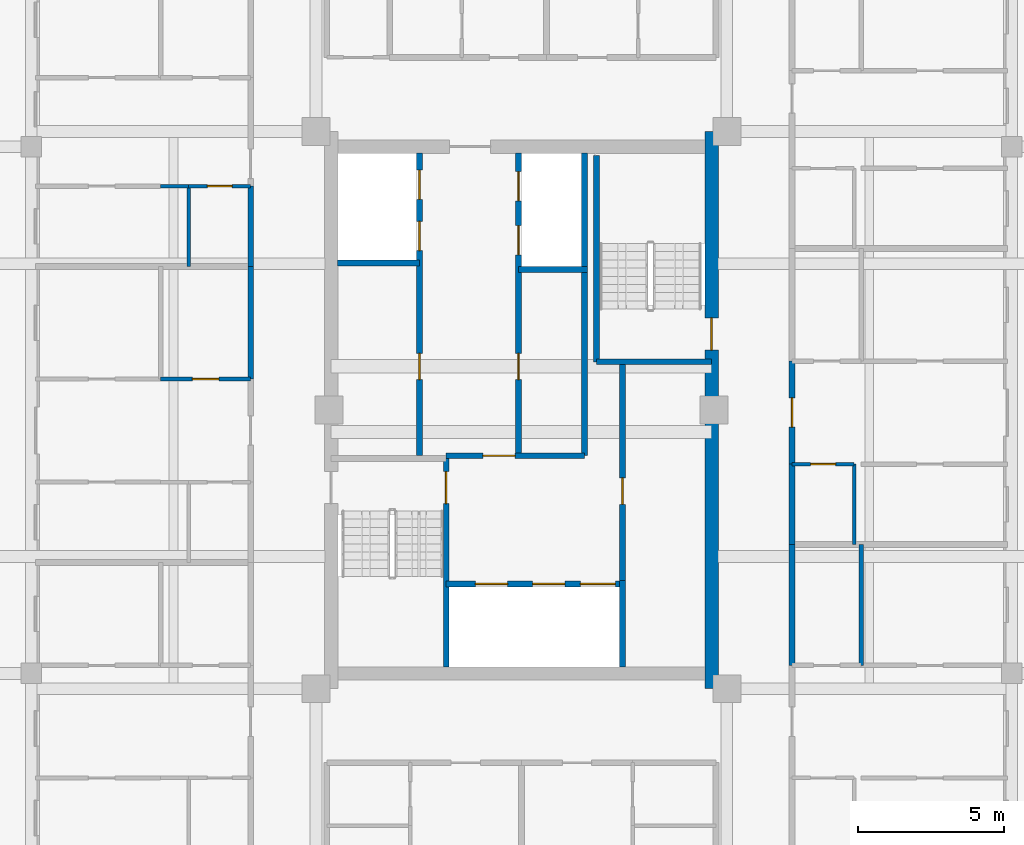
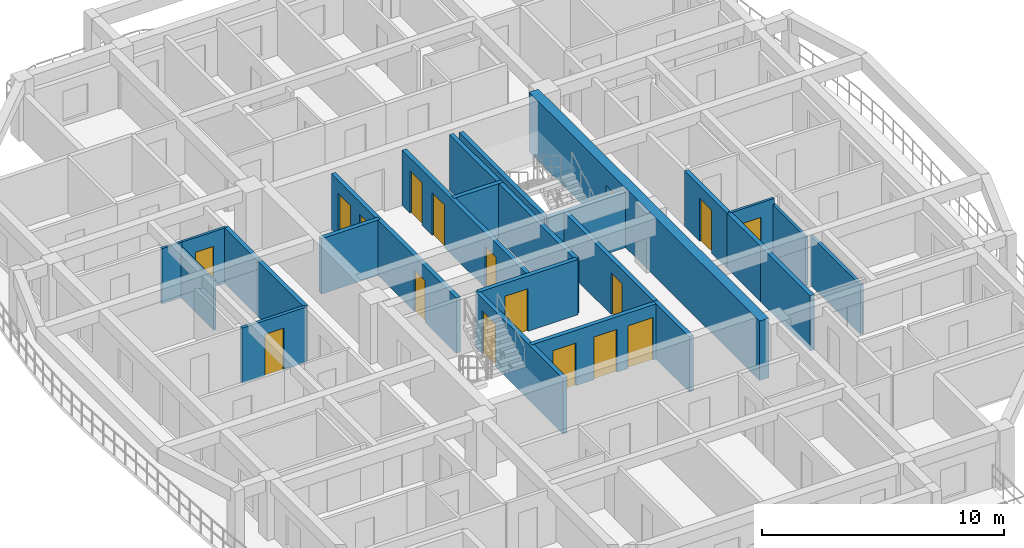
# One storey, part 4 of 13: 26 walls, 17 doors, 17 openings.
"""IFC4 building model written with IfcOpenShell, lengths in metres."""

from ifc_helpers import new_model, si_unit, direction, frame, frame_2d, origin, place, context, subcontext, project, spatial, rectangle, extrude, source, transform, mapped, material, layer, layer_set, type_object, element, fill, save


model = new_model("IFC4")

# Units and contexts
model_context = context("Model", 3, precision=1e-05, world=origin(), true_north=direction((0.0, 1.0)))
body_context = subcontext(model_context, "Body", "Model", "MODEL_VIEW")
ifc_project = project(units=[si_unit("LENGTHUNIT", "METRE"), si_unit("AREAUNIT", "SQUARE_METRE"), si_unit("VOLUMEUNIT", "CUBIC_METRE"), si_unit("PLANEANGLEUNIT", "RADIAN"), si_unit("MASSUNIT", "GRAM", prefix="KILO")], contexts=[model_context])

# Site, building, storey
site_placement = place(None, origin())
site = spatial("IfcSite", under=ifc_project, at=site_placement, CompositionType="ELEMENT")
building_placement = place(site_placement, origin())
building = spatial("IfcBuilding", under=site, at=building_placement, Name="Saelheon Loggia Tower", CompositionType="ELEMENT")
storey_placement = place(building_placement, frame((0.0, 0.0, 220.199951171875)))
storey = spatial("IfcBuildingStorey", under=building, at=storey_placement, Name="L68", CompositionType="ELEMENT", Elevation=220.199951171875)

# Wall, opening, door
ifc_material_1 = material(Name="Concrete C45/55", Category="concrete")
ifc_layer_1 = layer(ifc_material_1, 0.449951171875)
ifc_layer_set_1 = layer_set([ifc_layer_1], Name="Concrete C45/55")
wall_type_1 = type_object("IfcWallType", Name="Wall_CoreShear_450", PredefinedType="SHEAR", material=ifc_layer_set_1)
wall_1_placement = place(storey_placement, frame((44.5, 17.47998046875, 0.0), z_axis=(0.0, 0.0, 1.0), x_axis=(0.0, 1.0, 0.0)))
wall_1 = element("IfcWall", 1, at=wall_1_placement, inside=storey, type_object=wall_type_1, Name="L68 Core Shear Wall East", PredefinedType="SHEAR", context=body_context, shape_type="SweptSolid", body=[
    extrude(rectangle(XDim=19.0400390625, YDim=0.449951171875, at=frame_2d((9.52001953125, 0.0))), origin(), (0.0, 0.0, 1.0), 3.0),
])
opening_1_placement = place(wall_1_placement, frame((12.670166015625, 0.0, 0.0), z_axis=(0.0, 0.0, 1.0), x_axis=(-1.0, 0.0, 0.0)))
opening_1 = element("IfcOpeningElement", 2, at=opening_1_placement, cuts=wall_1, Name="Opening D-FD2", PredefinedType="OPENING", context=body_context, shape_type="SweptSolid", body=[
    extrude(rectangle(XDim=1.10009765625, YDim=2.14990234375, at=frame_2d((0.550048828125, 1.074951171875))), frame((0.0, 0.237060546875, 0.0), z_axis=(0.0, -1.0, 0.0), x_axis=(1.0, 0.0, 0.0)), (0.0, 0.0, 1.0), 0.473876953125),
])
ifc_material_2 = material(Name="Galvanised Steel Fire Door", Category="steel")
door_type_1 = type_object("IfcDoorType", Name="Door_Fire_FD60_1100", OperationType="NOTDEFINED", PredefinedType="DOOR", material=ifc_material_2)
shared_shape_1 = source(origin(), body_context, "Body", "SweptSolid", [
    extrude(rectangle(XDim=1.10009765625, YDim=2.14990234375, at=frame_2d((0.550048828125, 1.074951171875))), frame((0.0, 0.02490234375, 0.0), z_axis=(0.0, -1.0, 0.0), x_axis=(1.0, 0.0, 0.0)), (0.0, 0.0, 1.0), 0.050048828125),
])
door_1_placement = place(opening_1_placement, origin())
door_1 = element("IfcDoor", 3, at=door_1_placement, inside=storey, type_object=door_type_1, Name="L68 Stair ST2 Corridor Door", OperationType="SINGLE_SWING_RIGHT", OverallHeight=2.14990234375, OverallWidth=1.10009765625, PredefinedType="DOOR", context=body_context, shape_type="MappedRepresentation", body=[
    mapped(shared_shape_1, transform((0.0, 0.0, 0.0), scale=1.0)),
])
fill(opening_1, door_1)

ifc_material_3 = material(Name="Lightweight Autoclaved Aerated Concrete Block and Acoustic Gypsum", Category="concrete")
ifc_layer_2 = layer(ifc_material_3, 0.14990234375)
ifc_layer_set_2 = layer_set([ifc_layer_2], Name="Lightweight Autoclaved Aerated Concrete Block and Acoustic Gypsum")
wall_type_2 = type_object("IfcWallType", Name="Wall_Part_150", PredefinedType="PARTITIONING", material=ifc_layer_set_2)
wall_2_placement = place(storey_placement, frame((28.75, 28.06005859375, 0.0), z_axis=(0.0, 0.0, 1.0), x_axis=(-1.0, 0.0, 0.0)))
wall_2 = element("IfcWall", 4, at=wall_2_placement, inside=storey, type_object=wall_type_2, Name="L68 W Partition U22", PredefinedType="PARTITIONING", context=body_context, shape_type="SweptSolid", body=[
    extrude(rectangle(XDim=3.080078125, YDim=0.14990234375, at=frame_2d((1.5400390625, 0.0))), origin(), (0.0, 0.0, 1.0), 2.7900390625),
])
opening_2_placement = place(wall_2_placement, frame((1.090087890625, 0.0, 0.0)))
opening_2 = element("IfcOpeningElement", 5, at=opening_2_placement, cuts=wall_2, Name="Opening D-IN2", PredefinedType="OPENING", context=body_context, shape_type="SweptSolid", body=[
    extrude(rectangle(XDim=0.89990234375, YDim=2.10009765625, at=frame_2d((0.449951171875, 1.050048828125))), frame((0.0, 0.0869140625, 0.0), z_axis=(0.0, -1.0, 0.0), x_axis=(1.0, 0.0, 0.0)), (0.0, 0.0, 1.0), 0.173828125),
])
ifc_material_4 = material(Name="Engineered Oak Flush Door", Category="timber")
door_type_2 = type_object("IfcDoorType", Name="Door_Int_900", OperationType="NOTDEFINED", PredefinedType="DOOR", material=ifc_material_4)
shared_shape_2 = source(origin(), body_context, "Body", "SweptSolid", [
    extrude(rectangle(XDim=0.89990234375, YDim=2.10009765625, at=frame_2d((0.449951171875, 1.050048828125))), frame((0.0, 0.02490234375, 0.0), z_axis=(0.0, -1.0, 0.0), x_axis=(1.0, 0.0, 0.0)), (0.0, 0.0, 1.0), 0.050048828125),
])
door_2_placement = place(opening_2_placement, origin())
door_2 = element("IfcDoor", 6, at=door_2_placement, inside=storey, type_object=door_type_2, Name="Unit U06 Home Office Door", OperationType="SINGLE_SWING_LEFT", OverallHeight=2.10009765625, OverallWidth=0.89990234375, PredefinedType="DOOR", context=body_context, shape_type="MappedRepresentation", body=[
    mapped(shared_shape_2, transform((0.0, 0.0, 0.0), scale=1.0)),
])
fill(opening_2, door_2)

# Walls
wall_3_placement = place(storey_placement, frame((49.610107421875, 18.280029296875, 0.0), z_axis=(0.0, 0.0, 1.0), x_axis=(0.0, 1.0, 0.0)))
element("IfcWall", 7, at=wall_3_placement, inside=storey, type_object=wall_type_2, Name="L68 E Partition V07", PredefinedType="PARTITIONING", context=body_context, shape_type="SweptSolid", body=[
    extrude(rectangle(XDim=4.1240234375, YDim=0.14990234375, at=frame_2d((2.06201171875, 0.0))), origin(), (0.0, 0.0, 1.0), 2.489990234375),
])
ifc_material_5 = material(Name="Double Acoustic Stud and Fireboard Partition", Category="gypsum")
ifc_layer_3 = layer(ifc_material_5, 0.199951171875)
ifc_layer_set_3 = layer_set([ifc_layer_3], Name="Double Acoustic Stud and Fireboard Partition")
wall_type_3 = type_object("IfcWallType", Name="Wall_Party_200", PredefinedType="PARTITIONING", material=ifc_layer_set_3)
wall_4_placement = place(storey_placement, frame((28.75, 28.06005859375, 0.0), z_axis=(0.0, 0.0, 1.0), x_axis=(0.0, 1.0, 0.0)))
element("IfcWall", 8, at=wall_4_placement, inside=storey, type_object=wall_type_3, Name="L68 W Partition V16", PredefinedType="PARTITIONING", context=body_context, shape_type="SweptSolid", body=[
    extrude(rectangle(XDim=3.84228515625, YDim=0.199951171875, at=frame_2d((1.921142578125, 0.0))), origin(), (0.0, 0.0, 1.0), 2.7900390625),
])
wall_5_placement = place(storey_placement, frame((28.75, 31.90234375, 0.0), z_axis=(0.0, 0.0, 1.0), x_axis=(0.0, 1.0, 0.0)))
element("IfcWall", 9, at=wall_5_placement, inside=storey, type_object=wall_type_3, Name="L68 W Partition V25", PredefinedType="PARTITIONING", context=body_context, shape_type="SweptSolid", body=[
    extrude(rectangle(XDim=2.75, YDim=0.199951171875, at=frame_2d((1.375, 0.0))), origin(), (0.0, 0.0, 1.0), 2.7900390625),
])
wall_6_placement = place(storey_placement, frame((47.25, 18.280029296875, 0.0), z_axis=(0.0, 0.0, 1.0), x_axis=(0.0, 1.0, 0.0)))
element("IfcWall", 10, at=wall_6_placement, inside=storey, type_object=wall_type_3, Name="L68 E Partition V05", PredefinedType="PARTITIONING", context=body_context, shape_type="SweptSolid", body=[
    extrude(rectangle(XDim=4.1240234375, YDim=0.199951171875, at=frame_2d((2.06201171875, 0.0))), origin(), (0.0, 0.0, 1.0), 2.7900390625),
])
wall_7_placement = place(storey_placement, frame((47.25, 22.404052734375, 0.0), z_axis=(0.0, 0.0, 1.0), x_axis=(0.0, 1.0, 0.0)))
element("IfcWall", 11, at=wall_7_placement, inside=storey, type_object=wall_type_3, Name="L68 E Partition V13", PredefinedType="PARTITIONING", context=body_context, shape_type="SweptSolid", body=[
    extrude(rectangle(XDim=2.75, YDim=0.199951171875, at=frame_2d((1.375, 0.0))), origin(), (0.0, 0.0, 1.0), 2.7900390625),
])

# Wall, opening, door
wall_8_placement = place(storey_placement, frame((47.25, 25.154052734375, 0.0), z_axis=(0.0, 0.0, 1.0), x_axis=(0.0, 1.0, 0.0)))
wall_8 = element("IfcWall", 12, at=wall_8_placement, inside=storey, type_object=wall_type_3, Name="L68 E Partition V14", PredefinedType="PARTITIONING", context=body_context, shape_type="SweptSolid", body=[
    extrude(rectangle(XDim=3.518798828125, YDim=0.199951171875, at=frame_2d((1.75927734375, 0.0))), origin(), (0.0, 0.0, 1.0), 2.7900390625),
])
opening_3_placement = place(wall_8_placement, frame((1.259521484375, 0.0, 0.0)))
opening_3 = element("IfcOpeningElement", 13, at=opening_3_placement, cuts=wall_8, Name="Opening D-FD1", PredefinedType="OPENING", context=body_context, shape_type="SweptSolid", body=[
    extrude(rectangle(XDim=1.0, YDim=2.14990234375, at=frame_2d((0.5, 1.074951171875))), frame((0.0, 0.112060546875, 0.0), z_axis=(0.0, -1.0, 0.0), x_axis=(1.0, 0.0, 0.0)), (0.0, 0.0, 1.0), 0.223876953125),
])
ifc_material_6 = material(Name="Fire-Rated Engineered Timber Entrance Door", Category="wood")
door_type_3 = type_object("IfcDoorType", Name="Door_Flat_FD30S", OperationType="NOTDEFINED", PredefinedType="DOOR", material=ifc_material_6)
shared_shape_3 = source(origin(), body_context, "Body", "SweptSolid", [
    extrude(rectangle(XDim=1.0, YDim=2.14990234375, at=frame_2d((0.5, 1.074951171875))), frame((0.0, 0.02490234375, 0.0), z_axis=(0.0, -1.0, 0.0), x_axis=(1.0, 0.0, 0.0)), (0.0, 0.0, 1.0), 0.050048828125),
])
door_3_placement = place(opening_3_placement, origin())
door_3 = element("IfcDoor", 14, at=door_3_placement, inside=storey, type_object=door_type_3, Name="Unit U09 Entrance Door", OperationType="SINGLE_SWING_LEFT", OverallHeight=2.14990234375, OverallWidth=1.0, PredefinedType="DOOR", context=body_context, shape_type="MappedRepresentation", body=[
    mapped(shared_shape_3, transform((0.0, 0.0, 0.0), scale=1.0)),
])
fill(opening_3, door_3)

# Wall
ifc_material_7 = material(Name="Concrete C40/50", Category="concrete")
ifc_layer_4 = layer(ifc_material_7, 0.199951171875)
ifc_layer_set_4 = layer_set([ifc_layer_4], Name="Concrete C40/50")
wall_type_4 = type_object("IfcWallType", Name="Wall_Shaft_200", PredefinedType="PARTITIONING", material=ifc_layer_set_4)
wall_9_placement = place(storey_placement, frame((41.449951171875, 18.219970703125, 0.0), z_axis=(0.0, 0.0, 1.0), x_axis=(0.0, 1.0, 0.0)))
element("IfcWall", 15, at=wall_9_placement, inside=storey, type_object=wall_type_4, Name="CW-INT-L68-BOH-W0", PredefinedType="PARTITIONING", context=body_context, shape_type="SweptSolid", body=[
    extrude(rectangle(XDim=2.9599609375, YDim=0.199951171875, at=frame_2d((1.47998046875, 0.0))), origin(), (0.0, 0.0, 1.0), 2.7900390625),
])

# Wall, opening, door
wall_10_placement = place(storey_placement, frame((41.449951171875, 21.179931640625, 0.0), z_axis=(0.0, 0.0, 1.0), x_axis=(0.0, 1.0, 0.0)))
wall_10 = element("IfcWall", 16, at=wall_10_placement, inside=storey, type_object=wall_type_4, Name="CW-INT-L68-BOH-W1", PredefinedType="PARTITIONING", context=body_context, shape_type="SweptSolid", body=[
    extrude(rectangle(XDim=7.420166015625, YDim=0.199951171875, at=frame_2d((3.7099609375, 0.0))), origin(), (0.0, 0.0, 1.0), 2.7900390625),
])
opening_4_placement = place(wall_10_placement, frame((2.60009765625, 0.0, 0.0)))
opening_4 = element("IfcOpeningElement", 17, at=opening_4_placement, cuts=wall_10, Name="Opening D-RS1", PredefinedType="OPENING", context=body_context, shape_type="SweptSolid", body=[
    extrude(rectangle(XDim=0.89990234375, YDim=2.10009765625, at=frame_2d((0.449951171875, 1.050048828125))), frame((0.0, 0.112060546875, 0.0), z_axis=(0.0, -1.0, 0.0), x_axis=(1.0, 0.0, 0.0)), (0.0, 0.0, 1.0), 0.223876953125),
])
ifc_material_8 = material(Name="Galvanised Steel Riser Access Door", Category="steel")
door_type_4 = type_object("IfcDoorType", Name="Door_Riser_FD60", OperationType="NOTDEFINED", PredefinedType="DOOR", material=ifc_material_8)
door_4_placement = place(opening_4_placement, origin())
door_4 = element("IfcDoor", 18, at=door_4_placement, inside=storey, type_object=door_type_4, Name="L68 Core Service Store Door", OperationType="SINGLE_SWING_LEFT", OverallHeight=2.10009765625, OverallWidth=0.89990234375, PredefinedType="DOOR", context=body_context, shape_type="MappedRepresentation", body=[
    mapped(shared_shape_2, transform((0.0, 0.0, 0.0), scale=1.0)),
])
fill(opening_4, door_4)

# Walls
wall_11_placement = place(storey_placement, frame((40.14990234375, 25.43994140625, 0.0), z_axis=(0.0, 0.0, 1.0), x_axis=(0.0, 1.0, 0.0)))
element("IfcWall", 19, at=wall_11_placement, inside=storey, type_object=wall_type_4, Name="L68 Core Service Passage West Wall", PredefinedType="PARTITIONING", context=body_context, shape_type="SweptSolid", body=[
    extrude(rectangle(XDim=6.360107421875, YDim=0.199951171875, at=frame_2d((3.18017578125, 0.0))), origin(), (0.0, 0.0, 1.0), 2.7900390625),
])
wall_12_placement = place(storey_placement, frame((40.14990234375, 31.800048828125, 0.0), z_axis=(0.0, 0.0, 1.0), x_axis=(0.0, 1.0, 0.0)))
element("IfcWall", 20, at=wall_12_placement, inside=storey, type_object=wall_type_4, Name="L68 East High-Rise Hoistway East Wall", PredefinedType="PARTITIONING", context=body_context, shape_type="SweptSolid", body=[
    extrude(rectangle(XDim=3.97998046875, YDim=0.199951171875, at=frame_2d((1.989990234375, 0.0))), origin(), (0.0, 0.0, 1.0), 2.7900390625),
])

# Wall, openings, doors
wall_13_placement = place(storey_placement, frame((35.429931640625, 21.06005859375, 0.0), z_axis=(0.0, 0.0, 1.0), x_axis=(1.0, 0.0, 0.0)))
wall_13 = element("IfcWall", 21, at=wall_13_placement, inside=storey, type_object=wall_type_4, Name="L68 Firefighting Lift Shaft Front Wall", PredefinedType="PARTITIONING", context=body_context, shape_type="SweptSolid", body=[
    extrude(rectangle(XDim=6.02001953125, YDim=0.199951171875, at=frame_2d((3.010009765625, 0.0))), origin(), (0.0, 0.0, 1.0), 2.7900390625),
])
opening_5_placement = place(wall_13_placement, frame((1.0, 0.0, 0.0)))
opening_5 = element("IfcOpeningElement", 22, at=opening_5_placement, cuts=wall_13, Name="Opening LD2", PredefinedType="OPENING", context=body_context, shape_type="SweptSolid", body=[
    extrude(rectangle(XDim=1.10009765625, YDim=2.14990234375, at=frame_2d((0.550048828125, 1.074951171875))), frame((0.0, 0.112060546875, 0.0), z_axis=(0.0, -1.0, 0.0), x_axis=(1.0, 0.0, 0.0)), (0.0, 0.0, 1.0), 0.223876953125),
])
opening_6_placement = place(wall_13_placement, frame((2.949951171875, 0.0, 0.0)))
opening_6 = element("IfcOpeningElement", 23, at=opening_6_placement, cuts=wall_13, Name="Opening LD2", PredefinedType="OPENING", context=body_context, shape_type="SweptSolid", body=[
    extrude(rectangle(XDim=1.10009765625, YDim=2.14990234375, at=frame_2d((0.550048828125, 1.074951171875))), frame((0.0, 0.112060546875, 0.0), z_axis=(0.0, -1.0, 0.0), x_axis=(1.0, 0.0, 0.0)), (0.0, 0.0, 1.0), 0.223876953125),
])
opening_7_placement = place(wall_13_placement, frame((4.580078125, 0.0, 0.0)))
opening_7 = element("IfcOpeningElement", 24, at=opening_7_placement, cuts=wall_13, Name="Opening LD3", PredefinedType="OPENING", context=body_context, shape_type="SweptSolid", body=[
    extrude(rectangle(XDim=1.199951171875, YDim=2.14990234375, at=frame_2d((0.60009765625, 1.074951171875))), frame((0.0, 0.112060546875, 0.0), z_axis=(0.0, -1.0, 0.0), x_axis=(1.0, 0.0, 0.0)), (0.0, 0.0, 1.0), 0.223876953125),
])
ifc_material_9 = material(Name="Firefighting Stainless Steel 316 Landing Door", Category="steel")
door_type_5 = type_object("IfcDoorType", Name="Door_Lift_LD2", OperationType="DOUBLE_DOOR_SLIDING", PredefinedType="DOOR", material=ifc_material_9)
door_5_placement = place(opening_5_placement, origin())
door_5 = element("IfcDoor", 25, at=door_5_placement, inside=storey, type_object=door_type_5, Name="L68 FF1 Landing Door", OperationType="DOUBLE_DOOR_SLIDING", OverallHeight=2.14990234375, OverallWidth=1.10009765625, PredefinedType="DOOR", context=body_context, shape_type="MappedRepresentation", body=[
    mapped(shared_shape_1, transform((0.0, 0.0, 0.0), scale=1.0)),
])
fill(opening_5, door_5)
door_6_placement = place(opening_6_placement, origin())
door_6 = element("IfcDoor", 26, at=door_6_placement, inside=storey, type_object=door_type_5, Name="L68 FF2 Landing Door", OperationType="DOUBLE_DOOR_SLIDING", OverallHeight=2.14990234375, OverallWidth=1.10009765625, PredefinedType="DOOR", context=body_context, shape_type="MappedRepresentation", body=[
    mapped(shared_shape_1, transform((0.0, 0.0, 0.0), scale=1.0)),
])
fill(opening_6, door_6)
ifc_material_10 = material(Name="Stretcher Lift Stainless Steel 304 Landing Door", Category="steel")
door_type_6 = type_object("IfcDoorType", Name="Door_Lift_LD3", OperationType="DOUBLE_DOOR_SLIDING", PredefinedType="DOOR", material=ifc_material_10)
shared_shape_4 = source(origin(), body_context, "Body", "SweptSolid", [
    extrude(rectangle(XDim=1.199951171875, YDim=2.14990234375, at=frame_2d((0.60009765625, 1.074951171875))), frame((0.0, 0.02490234375, 0.0), z_axis=(0.0, -1.0, 0.0), x_axis=(1.0, 0.0, 0.0)), (0.0, 0.0, 1.0), 0.050048828125),
])
door_7_placement = place(opening_7_placement, origin())
door_7 = element("IfcDoor", 27, at=door_7_placement, inside=storey, type_object=door_type_6, Name="L68 SV1 Landing Door", OperationType="DOUBLE_DOOR_SLIDING", OverallHeight=2.14990234375, OverallWidth=1.199951171875, PredefinedType="DOOR", context=body_context, shape_type="MappedRepresentation", body=[
    mapped(shared_shape_4, transform((0.0, 0.0, 0.0), scale=1.0)),
])
fill(opening_7, door_7)

# Wall, opening, door
wall_14_placement = place(storey_placement, frame((35.429931640625, 25.43994140625, 0.0), z_axis=(0.0, 0.0, 1.0), x_axis=(1.0, 0.0, 0.0)))
wall_14 = element("IfcWall", 28, at=wall_14_placement, inside=storey, type_object=wall_type_4, Name="L68 Firefighting Lobby Compartment Wall", PredefinedType="PARTITIONING", context=body_context, shape_type="SweptSolid", body=[
    extrude(rectangle(XDim=4.719970703125, YDim=0.199951171875, at=frame_2d((2.35986328125, 0.0))), origin(), (0.0, 0.0, 1.0), 2.7900390625),
])
opening_8_placement = place(wall_14_placement, frame((1.25, 0.0, 0.0)))
opening_8 = element("IfcOpeningElement", 29, at=opening_8_placement, cuts=wall_14, Name="Opening D-FD2", PredefinedType="OPENING", context=body_context, shape_type="SweptSolid", body=[
    extrude(rectangle(XDim=1.10009765625, YDim=2.14990234375, at=frame_2d((0.550048828125, 1.074951171875))), frame((0.0, 0.112060546875, 0.0), z_axis=(0.0, -1.0, 0.0), x_axis=(1.0, 0.0, 0.0)), (0.0, 0.0, 1.0), 0.223876953125),
])
door_8_placement = place(opening_8_placement, origin())
door_8 = element("IfcDoor", 30, at=door_8_placement, inside=storey, type_object=door_type_1, Name="L68 Firefighting Lobby Door", OperationType="SINGLE_SWING_RIGHT", OverallHeight=2.14990234375, OverallWidth=1.10009765625, PredefinedType="DOOR", context=body_context, shape_type="MappedRepresentation", body=[
    mapped(shared_shape_1, transform((0.0, 0.0, 0.0), scale=1.0)),
])
fill(opening_8, door_8)

# Wall, openings, doors
wall_15_placement = place(storey_placement, frame((34.52001953125, 25.43994140625, 0.0), z_axis=(0.0, 0.0, 1.0), x_axis=(0.0, 1.0, 0.0)))
wall_15 = element("IfcWall", 31, at=wall_15_placement, inside=storey, type_object=wall_type_4, Name="L68 West Passenger Lift Bank Wall", PredefinedType="PARTITIONING", context=body_context, shape_type="SweptSolid", body=[
    extrude(rectangle(XDim=10.340087890625, YDim=0.199951171875, at=frame_2d((5.169921875, 0.0))), origin(), (0.0, 0.0, 1.0), 2.7900390625),
])
opening_9_placement = place(wall_15_placement, frame((2.60009765625, 0.0, 0.0)))
opening_9 = element("IfcOpeningElement", 32, at=opening_9_placement, cuts=wall_15, Name="Opening D-RS1", PredefinedType="OPENING", context=body_context, shape_type="SweptSolid", body=[
    extrude(rectangle(XDim=0.89990234375, YDim=2.10009765625, at=frame_2d((0.449951171875, 1.050048828125))), frame((0.0, 0.112060546875, 0.0), z_axis=(0.0, -1.0, 0.0), x_axis=(1.0, 0.0, 0.0)), (0.0, 0.0, 1.0), 0.223876953125),
])
opening_10_placement = place(wall_15_placement, frame((7.010009765625, 0.0, 0.0)))
opening_10 = element("IfcOpeningElement", 33, at=opening_10_placement, cuts=wall_15, Name="Opening LD1", PredefinedType="OPENING", context=body_context, shape_type="SweptSolid", body=[
    extrude(rectangle(XDim=1.0, YDim=2.14990234375, at=frame_2d((0.5, 1.074951171875))), frame((0.0, 0.112060546875, 0.0), z_axis=(0.0, -1.0, 0.0), x_axis=(1.0, 0.0, 0.0)), (0.0, 0.0, 1.0), 0.223876953125),
])
opening_11_placement = place(wall_15_placement, frame((8.760009765625, 0.0, 0.0)))
opening_11 = element("IfcOpeningElement", 34, at=opening_11_placement, cuts=wall_15, Name="Opening LD1", PredefinedType="OPENING", context=body_context, shape_type="SweptSolid", body=[
    extrude(rectangle(XDim=1.0, YDim=2.14990234375, at=frame_2d((0.5, 1.074951171875))), frame((0.0, 0.112060546875, 0.0), z_axis=(0.0, -1.0, 0.0), x_axis=(1.0, 0.0, 0.0)), (0.0, 0.0, 1.0), 0.223876953125),
])
door_9_placement = place(opening_9_placement, origin())
door_9 = element("IfcDoor", 35, at=door_9_placement, inside=storey, type_object=door_type_4, Name="L68 Core Parcel Room Door", OperationType="SINGLE_SWING_RIGHT", OverallHeight=2.10009765625, OverallWidth=0.89990234375, PredefinedType="DOOR", context=body_context, shape_type="MappedRepresentation", body=[
    mapped(shared_shape_2, transform((0.0, 0.0, 0.0), scale=1.0)),
])
fill(opening_9, door_9)
ifc_material_11 = material(Name="Brushed Stainless Steel 304 Landing Door", Category="steel")
door_type_7 = type_object("IfcDoorType", Name="Door_Lift_LD1", OperationType="DOUBLE_DOOR_SLIDING", PredefinedType="DOOR", material=ifc_material_11)
door_10_placement = place(opening_10_placement, origin())
door_10 = element("IfcDoor", 36, at=door_10_placement, inside=storey, type_object=door_type_7, Name="L68 PH1 Landing Door", OperationType="DOUBLE_DOOR_SLIDING", OverallHeight=2.14990234375, OverallWidth=1.0, PredefinedType="DOOR", context=body_context, shape_type="MappedRepresentation", body=[
    mapped(shared_shape_3, transform((0.0, 0.0, 0.0), scale=1.0)),
])
fill(opening_10, door_10)
door_11_placement = place(opening_11_placement, origin())
door_11 = element("IfcDoor", 37, at=door_11_placement, inside=storey, type_object=door_type_7, Name="L68 PH2 Landing Door", OperationType="DOUBLE_DOOR_SLIDING", OverallHeight=2.14990234375, OverallWidth=1.0, PredefinedType="DOOR", context=body_context, shape_type="MappedRepresentation", body=[
    mapped(shared_shape_3, transform((0.0, 0.0, 0.0), scale=1.0)),
])
fill(opening_11, door_11)

# Wall
wall_16_placement = place(storey_placement, frame((31.719970703125, 32.02001953125, 0.0), z_axis=(0.0, 0.0, 1.0), x_axis=(1.0, 0.0, 0.0)))
element("IfcWall", 38, at=wall_16_placement, inside=storey, type_object=wall_type_4, Name="L68 West High-Rise Shaft Divider", PredefinedType="PARTITIONING", context=body_context, shape_type="SweptSolid", body=[
    extrude(rectangle(XDim=2.800048828125, YDim=0.199951171875, at=frame_2d((1.39990234375, 0.0))), origin(), (0.0, 0.0, 1.0), 2.7900390625),
])

# Wall, openings, doors
wall_17_placement = place(storey_placement, frame((37.89990234375, 25.43994140625, 0.0), z_axis=(0.0, 0.0, 1.0), x_axis=(0.0, 1.0, 0.0)))
wall_17 = element("IfcWall", 39, at=wall_17_placement, inside=storey, type_object=wall_type_4, Name="L68 East Passenger Lift Bank Wall", PredefinedType="PARTITIONING", context=body_context, shape_type="SweptSolid", body=[
    extrude(rectangle(XDim=10.340087890625, YDim=0.199951171875, at=frame_2d((5.169921875, 0.0))), origin(), (0.0, 0.0, 1.0), 2.7900390625),
])
opening_12_placement = place(wall_17_placement, frame((2.60009765625, 0.0, 0.0)))
opening_12 = element("IfcOpeningElement", 40, at=opening_12_placement, cuts=wall_17, Name="Opening D-RS1", PredefinedType="OPENING", context=body_context, shape_type="SweptSolid", body=[
    extrude(rectangle(XDim=0.89990234375, YDim=2.10009765625, at=frame_2d((0.449951171875, 1.050048828125))), frame((0.0, 0.112060546875, 0.0), z_axis=(0.0, -1.0, 0.0), x_axis=(1.0, 0.0, 0.0)), (0.0, 0.0, 1.0), 0.223876953125),
])
opening_13_placement = place(wall_17_placement, frame((6.860107421875, 0.0, 0.0)))
opening_13 = element("IfcOpeningElement", 41, at=opening_13_placement, cuts=wall_17, Name="Opening LD1", PredefinedType="OPENING", context=body_context, shape_type="SweptSolid", body=[
    extrude(rectangle(XDim=1.0, YDim=2.14990234375, at=frame_2d((0.5, 1.074951171875))), frame((0.0, 0.112060546875, 0.0), z_axis=(0.0, -1.0, 0.0), x_axis=(1.0, 0.0, 0.0)), (0.0, 0.0, 1.0), 0.223876953125),
])
opening_14_placement = place(wall_17_placement, frame((8.7099609375, 0.0, 0.0)))
opening_14 = element("IfcOpeningElement", 42, at=opening_14_placement, cuts=wall_17, Name="Opening LD1", PredefinedType="OPENING", context=body_context, shape_type="SweptSolid", body=[
    extrude(rectangle(XDim=1.0, YDim=2.14990234375, at=frame_2d((0.5, 1.074951171875))), frame((0.0, 0.112060546875, 0.0), z_axis=(0.0, -1.0, 0.0), x_axis=(1.0, 0.0, 0.0)), (0.0, 0.0, 1.0), 0.223876953125),
])
door_12_placement = place(opening_12_placement, origin())
door_12 = element("IfcDoor", 43, at=door_12_placement, inside=storey, type_object=door_type_4, Name="L68 Upper Storage Room Door", OperationType="SINGLE_SWING_LEFT", OverallHeight=2.10009765625, OverallWidth=0.89990234375, PredefinedType="DOOR", context=body_context, shape_type="MappedRepresentation", body=[
    mapped(shared_shape_2, transform((0.0, 0.0, 0.0), scale=1.0)),
])
fill(opening_12, door_12)
door_13_placement = place(opening_13_placement, origin())
door_13 = element("IfcDoor", 44, at=door_13_placement, inside=storey, type_object=door_type_7, Name="L68 PH3 Landing Door", OperationType="DOUBLE_DOOR_SLIDING", OverallHeight=2.14990234375, OverallWidth=1.0, PredefinedType="DOOR", context=body_context, shape_type="MappedRepresentation", body=[
    mapped(shared_shape_3, transform((0.0, 0.0, 0.0), scale=1.0)),
])
fill(opening_13, door_13)
door_14_placement = place(opening_14_placement, origin())
door_14 = element("IfcDoor", 45, at=door_14_placement, inside=storey, type_object=door_type_7, Name="L68 PH4 Landing Door", OperationType="DOUBLE_DOOR_SLIDING", OverallHeight=2.14990234375, OverallWidth=1.0, PredefinedType="DOOR", context=body_context, shape_type="MappedRepresentation", body=[
    mapped(shared_shape_3, transform((0.0, 0.0, 0.0), scale=1.0)),
])
fill(opening_14, door_14)

# Wall
wall_18_placement = place(storey_placement, frame((37.89990234375, 31.800048828125, 0.0), z_axis=(0.0, 0.0, 1.0), x_axis=(1.0, 0.0, 0.0)))
element("IfcWall", 46, at=wall_18_placement, inside=storey, type_object=wall_type_4, Name="L68 East High-Rise Shaft Divider", PredefinedType="PARTITIONING", context=body_context, shape_type="SweptSolid", body=[
    extrude(rectangle(XDim=2.35009765625, YDim=0.199951171875, at=frame_2d((1.175048828125, 0.0))), origin(), (0.0, 0.0, 1.0), 2.7900390625),
])

# Wall, opening, door
ifc_layer_5 = layer(ifc_material_1, 0.199951171875)
ifc_layer_set_5 = layer_set([ifc_layer_5], Name="Concrete C45/55")
wall_type_5 = type_object("IfcWallType", Name="Wall_StairShaft_RC200", PredefinedType="SOLIDWALL", material=ifc_layer_set_5)
wall_19_placement = place(storey_placement, frame((35.429931640625, 18.219970703125, 0.0), z_axis=(0.0, 0.0, 1.0), x_axis=(0.0, 1.0, 0.0)))
wall_19 = element("IfcWall", 47, at=wall_19_placement, inside=storey, type_object=wall_type_5, Name="L68 Stair ST1 Shaft Wall", PredefinedType="SOLIDWALL", context=body_context, shape_type="SweptSolid", body=[
    extrude(rectangle(XDim=7.219970703125, YDim=0.199951171875, at=frame_2d((3.60986328125, 0.0))), origin(), (0.0, 0.0, 1.0), 2.7900390625),
])
opening_15_placement = place(wall_19_placement, frame((6.68017578125, 0.0, 0.0), z_axis=(0.0, 0.0, 1.0), x_axis=(-1.0, 0.0, 0.0)))
opening_15 = element("IfcOpeningElement", 48, at=opening_15_placement, cuts=wall_19, Name="Opening D-FD2", PredefinedType="OPENING", context=body_context, shape_type="SweptSolid", body=[
    extrude(rectangle(XDim=1.10009765625, YDim=2.14990234375, at=frame_2d((0.550048828125, 1.074951171875))), frame((0.0, 0.112060546875, 0.0), z_axis=(0.0, -1.0, 0.0), x_axis=(1.0, 0.0, 0.0)), (0.0, 0.0, 1.0), 0.223876953125),
])
door_15_placement = place(opening_15_placement, origin())
door_15 = element("IfcDoor", 49, at=door_15_placement, inside=storey, type_object=door_type_1, Name="L68 Stair ST1 Lobby Door", OperationType="SINGLE_SWING_LEFT", OverallHeight=2.14990234375, OverallWidth=1.10009765625, PredefinedType="DOOR", context=body_context, shape_type="MappedRepresentation", body=[
    mapped(shared_shape_1, transform((0.0, 0.0, 0.0), scale=1.0)),
])
fill(opening_15, door_15)

# Walls
wall_20_placement = place(storey_placement, frame((40.570068359375, 28.64990234375, 0.0), z_axis=(0.0, 0.0, 1.0), x_axis=(0.0, 1.0, 0.0)))
element("IfcWall", 50, at=wall_20_placement, inside=storey, type_object=wall_type_5, Name="L68 Stair ST2 Shaft Wall", PredefinedType="SOLIDWALL", context=body_context, shape_type="SweptSolid", body=[
    extrude(rectangle(XDim=7.050048828125, YDim=0.199951171875, at=frame_2d((3.52490234375, 0.0))), origin(), (0.0, 0.0, 1.0), 2.7900390625),
])
wall_21_placement = place(storey_placement, frame((40.570068359375, 28.64990234375, 0.0), z_axis=(0.0, 0.0, 1.0), x_axis=(1.0, 0.0, 0.0)))
element("IfcWall", 51, at=wall_21_placement, inside=storey, type_object=wall_type_5, Name="L68 Stair ST2 South Wall", PredefinedType="SOLIDWALL", context=body_context, shape_type="SweptSolid", body=[
    extrude(rectangle(XDim=3.929931640625, YDim=0.199951171875, at=frame_2d((1.96484375, 0.0))), origin(), (0.0, 0.0, 1.0), 2.7900390625),
])
ifc_material_12 = material(Name="Moisture-Resistant Cement Board Partition", Category="gypsum")
ifc_layer_6 = layer(ifc_material_12, 0.1201171875)
ifc_layer_set_6 = layer_set([ifc_layer_6], Name="Moisture-Resistant Cement Board Partition")
wall_type_6 = type_object("IfcWallType", Name="Wall_WetPart_120", PredefinedType="PARTITIONING", material=ifc_layer_set_6)
wall_22_placement = place(storey_placement, frame((26.6298828125, 31.90234375, 0.0), z_axis=(0.0, 0.0, 1.0), x_axis=(0.0, 1.0, 0.0)))
element("IfcWall", 52, at=wall_22_placement, inside=storey, type_object=wall_type_6, Name="L68 W Partition V28", PredefinedType="PARTITIONING", context=body_context, shape_type="SweptSolid", body=[
    extrude(rectangle(XDim=2.75, YDim=0.1201171875, at=frame_2d((1.375, 0.0))), origin(), (0.0, 0.0, 1.0), 2.489990234375),
])

# Wall, opening, door
wall_23_placement = place(storey_placement, frame((28.75, 34.65234375, 0.0), z_axis=(0.0, 0.0, 1.0), x_axis=(-1.0, 0.0, 0.0)))
wall_23 = element("IfcWall", 53, at=wall_23_placement, inside=storey, type_object=wall_type_6, Name="L68 W Partition U30", PredefinedType="PARTITIONING", context=body_context, shape_type="SweptSolid", body=[
    extrude(rectangle(XDim=2.1201171875, YDim=0.1201171875, at=frame_2d((1.06005859375, 0.0))), origin(), (0.0, 0.0, 1.0), 2.7900390625),
])
opening_16_placement = place(wall_23_placement, frame((0.635009765625, 0.0, 0.0)))
opening_16 = element("IfcOpeningElement", 54, at=opening_16_placement, cuts=wall_23, Name="Opening D-BT1", PredefinedType="OPENING", context=body_context, shape_type="SweptSolid", body=[
    extrude(rectangle(XDim=0.85009765625, YDim=2.050048828125, at=frame_2d((0.425048828125, 1.02490234375))), frame((0.0, 0.072021484375, 0.0), z_axis=(0.0, -1.0, 0.0), x_axis=(1.0, 0.0, 0.0)), (0.0, 0.0, 1.0), 0.14404296875),
])
ifc_material_13 = material(Name="Moisture-Resistant Laminate Timber Door", Category="wood")
door_type_8 = type_object("IfcDoorType", Name="Door_Bath_850", OperationType="NOTDEFINED", PredefinedType="DOOR", material=ifc_material_13)
shared_shape_5 = source(origin(), body_context, "Body", "SweptSolid", [
    extrude(rectangle(XDim=0.85009765625, YDim=2.050048828125, at=frame_2d((0.425048828125, 1.02490234375))), frame((0.0, 0.02490234375, 0.0), z_axis=(0.0, -1.0, 0.0), x_axis=(1.0, 0.0, 0.0)), (0.0, 0.0, 1.0), 0.050048828125),
])
door_16_placement = place(opening_16_placement, origin())
door_16 = element("IfcDoor", 55, at=door_16_placement, inside=storey, type_object=door_type_8, Name="Unit U07 Bathroom Door", OperationType="SINGLE_SWING_RIGHT", OverallHeight=2.050048828125, OverallWidth=0.85009765625, PredefinedType="DOOR", context=body_context, shape_type="MappedRepresentation", body=[
    mapped(shared_shape_5, transform((0.0, 0.0, 0.0), scale=1.0)),
])
fill(opening_16, door_16)

# Walls
wall_24_placement = place(storey_placement, frame((26.6298828125, 34.65234375, 0.0), z_axis=(0.0, 0.0, 1.0), x_axis=(-1.0, 0.0, 0.0)))
element("IfcWall", 56, at=wall_24_placement, inside=storey, type_object=wall_type_6, Name="L68 W Partition U31", PredefinedType="PARTITIONING", context=body_context, shape_type="SweptSolid", body=[
    extrude(rectangle(XDim=0.9599609375, YDim=0.1201171875, at=frame_2d((0.47998046875, 0.0))), origin(), (0.0, 0.0, 1.0), 2.7900390625),
])
wall_25_placement = place(storey_placement, frame((49.3701171875, 22.404052734375, 0.0), z_axis=(0.0, 0.0, 1.0), x_axis=(0.0, 1.0, 0.0)))
element("IfcWall", 57, at=wall_25_placement, inside=storey, type_object=wall_type_6, Name="L68 E Partition V16", PredefinedType="PARTITIONING", context=body_context, shape_type="SweptSolid", body=[
    extrude(rectangle(XDim=2.75, YDim=0.1201171875, at=frame_2d((1.375, 0.0))), origin(), (0.0, 0.0, 1.0), 2.489990234375),
])

# Wall, opening, door
wall_26_placement = place(storey_placement, frame((47.25, 25.154052734375, 0.0), z_axis=(0.0, 0.0, 1.0), x_axis=(1.0, 0.0, 0.0)))
wall_26 = element("IfcWall", 58, at=wall_26_placement, inside=storey, type_object=wall_type_6, Name="L68 E Partition U18", PredefinedType="PARTITIONING", context=body_context, shape_type="SweptSolid", body=[
    extrude(rectangle(XDim=2.1201171875, YDim=0.1201171875, at=frame_2d((1.06005859375, 0.0))), origin(), (0.0, 0.0, 1.0), 2.7900390625),
])
opening_17_placement = place(wall_26_placement, frame((0.635009765625, 0.0, 0.0)))
opening_17 = element("IfcOpeningElement", 59, at=opening_17_placement, cuts=wall_26, Name="Opening D-BT1", PredefinedType="OPENING", context=body_context, shape_type="SweptSolid", body=[
    extrude(rectangle(XDim=0.85009765625, YDim=2.050048828125, at=frame_2d((0.425048828125, 1.02490234375))), frame((0.0, 0.072021484375, 0.0), z_axis=(0.0, -1.0, 0.0), x_axis=(1.0, 0.0, 0.0)), (0.0, 0.0, 1.0), 0.14404296875),
])
door_17_placement = place(opening_17_placement, origin())
door_17 = element("IfcDoor", 60, at=door_17_placement, inside=storey, type_object=door_type_8, Name="Unit U09 Bathroom Door", OperationType="SINGLE_SWING_RIGHT", OverallHeight=2.050048828125, OverallWidth=0.85009765625, PredefinedType="DOOR", context=body_context, shape_type="MappedRepresentation", body=[
    mapped(shared_shape_5, transform((0.0, 0.0, 0.0), scale=1.0)),
])
fill(opening_17, door_17)

save(model, "model.ifc")
